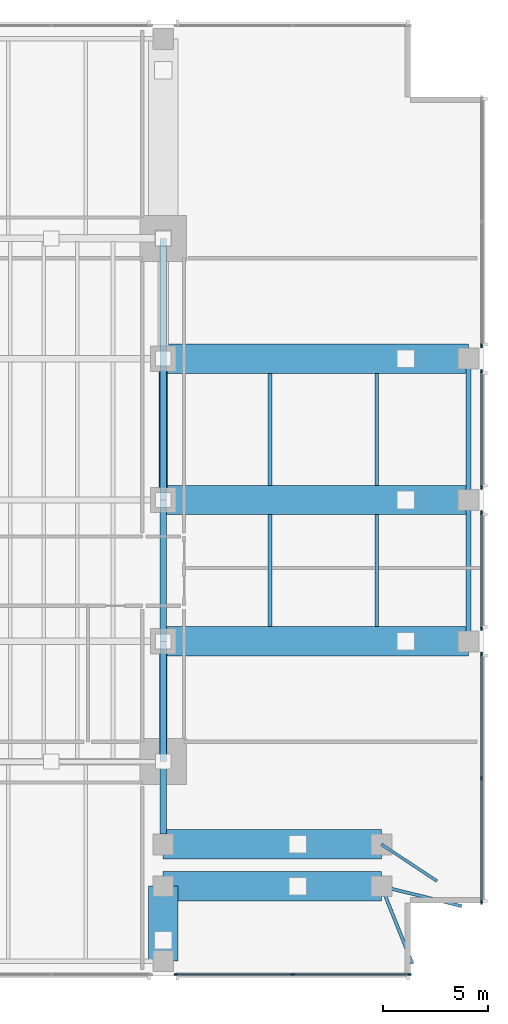
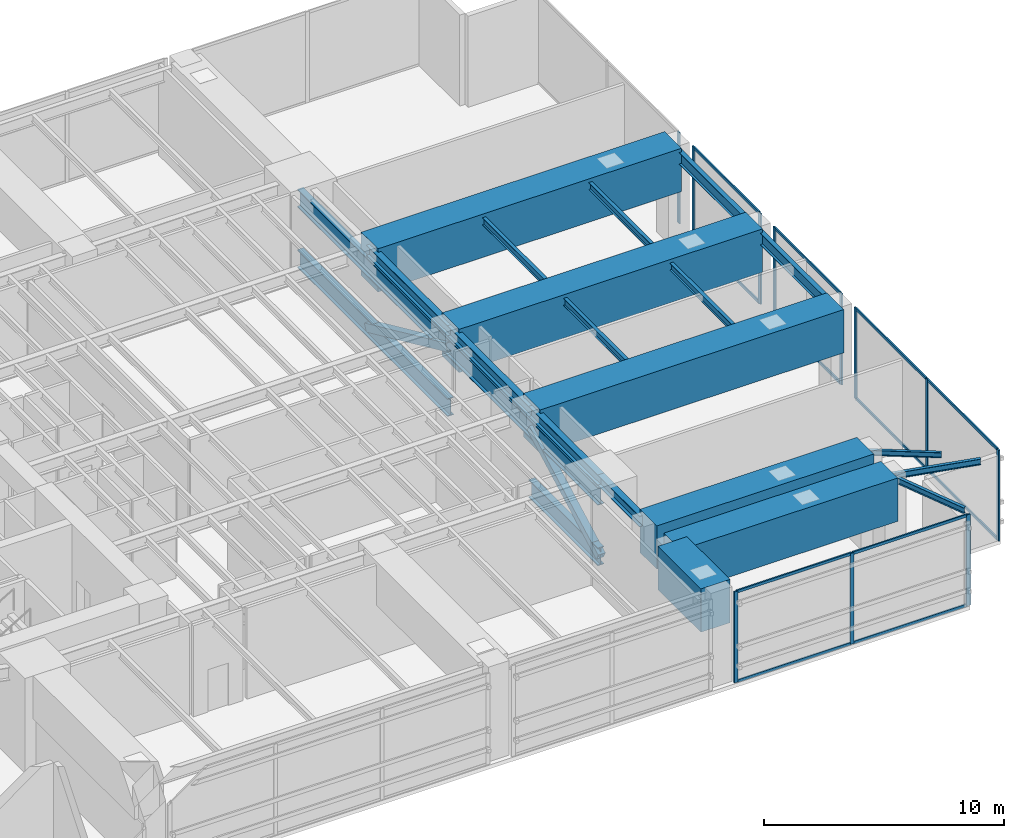
# One storey, part 4 of 14: 28 members, 19 beams, 5 elements without a shape of their own.
"""IFC4 building model written with IfcOpenShell, lengths in metres."""

from ifc_helpers import new_model, si_unit, direction, frame, origin, origin_2d, place, context, subcontext, project, spatial, rectangle, hollow_rectangle, i_section, extrude, material, layer, layer_set, material_profile, profile_set, type_object, element, aggregate, save


model = new_model("IFC4")

# Units and contexts
model_context = context("Model", 3, precision=1e-05, world=origin(), true_north=direction((0.0, 1.0)))
body_context = subcontext(model_context, "Body", "Model", "MODEL_VIEW")
ifc_project = project(units=[si_unit("LENGTHUNIT", "METRE"), si_unit("AREAUNIT", "SQUARE_METRE"), si_unit("VOLUMEUNIT", "CUBIC_METRE"), si_unit("PLANEANGLEUNIT", "RADIAN"), si_unit("MASSUNIT", "GRAM", prefix="KILO")], contexts=[model_context])

# Site, building, storey
site_placement = place(None, origin())
site = spatial("IfcSite", under=ifc_project, at=site_placement, CompositionType="ELEMENT")
building_placement = place(site_placement, origin())
building = spatial("IfcBuilding", under=site, at=building_placement, Name="Kinhvarn Gate Tower", CompositionType="ELEMENT")
storey_placement = place(building_placement, frame((0.0, 0.0, 93.050048828125)))
storey = spatial("IfcBuildingStorey", under=building, at=storey_placement, Name="L24", CompositionType="ELEMENT", Elevation=93.050048828125)

# Beams
ifc_material_1 = material(Name="Concrete C60/75", Category="concrete")
ifc_material_profile_1 = material_profile(ifc_material_1, rectangle(XDim=1.39990234375, YDim=2.199951171875, at=origin_2d()), Name="RC 1400x2200")
ifc_profile_set_1 = profile_set([ifc_material_profile_1], Name="Concrete C60/75")
beam_type_1 = type_object("IfcBeamType", Name="BM-TG-2200", PredefinedType="BEAM", material=ifc_profile_set_1)
for number, where, z_axis, x_axis, name in (
    (1, (38.199951171875, 6.800048828125, 3.699951171875), (1.0, 0.0, 0.0), (0.0, 1.0, 0.0), "Setback Transfer Girder TG-02-L25-CS-SE2"),
    (2, (38.199951171875, 8.800048828125, 3.699951171875), (1.0, 0.0, 0.0), (0.0, 1.0, 0.0), "Setback Transfer Girder TG-02-L25-CS-SE2B"),
):
    element("IfcBeam", number, at=place(storey_placement, frame(where, z_axis=z_axis, x_axis=x_axis)), inside=storey, type_object=beam_type_1, Name=name, PredefinedType="BEAM", context=body_context, shape_type="SweptSolid", body=[
        extrude(rectangle(XDim=1.39990234375, YDim=2.199951171875, at=origin_2d()), origin(), (0.0, 0.0, 1.0), 10.420166015625),
    ])
for number, where, z_axis, x_axis, name in (
    (3, (38.199951171875, 18.5, 3.699951171875), (1.0, 0.0, 0.0), (0.0, 1.0, 0.0), "Setback Transfer Girder TG-02-L25-CE-1"),
    (4, (38.199951171875, 25.25, 3.699951171875), (1.0, 0.0, 0.0), (0.0, 1.0, 0.0), "Setback Transfer Girder TG-02-L25-CE-2"),
    (5, (38.199951171875, 32.0, 3.699951171875), (1.0, 0.0, 0.0), (0.0, 1.0, 0.0), "Setback Transfer Girder TG-02-L25-CE-3"),
):
    element("IfcBeam", number, at=place(storey_placement, frame(where, z_axis=z_axis, x_axis=x_axis)), inside=storey, type_object=beam_type_1, Name=name, PredefinedType="BEAM", context=body_context, shape_type="SweptSolid", body=[
        extrude(rectangle(XDim=1.39990234375, YDim=2.199951171875, at=origin_2d()), origin(), (0.0, 0.0, 1.0), 14.580078125),
    ])
beam_1_placement = place(storey_placement, frame((38.199951171875, 3.219970703125, 3.699951171875), z_axis=(0.0, 1.0, 0.0), x_axis=(-1.0, 0.0, 0.0)))
element("IfcBeam", 6, at=beam_1_placement, inside=storey, type_object=beam_type_1, Name="Setback Transfer Girder TG-02-L25-CS-2", PredefinedType="BEAM", context=body_context, shape_type="SweptSolid", body=[
    extrude(rectangle(XDim=1.39990234375, YDim=2.199951171875, at=origin_2d()), origin(), (0.0, 0.0, 1.0), 3.580078125),
])

# Curtain wall, members
ifc_material_2 = material(Name="Anodised aluminium AW-6063", Category="aluminium")
ifc_layer = layer(ifc_material_2, 0.179931640625)
ifc_layer_set = layer_set([ifc_layer], Name="Anodised aluminium AW-6063")
curtain_wall_type = type_object("IfcCurtainWallType", Name="CW-SYS-2", PredefinedType="NOTDEFINED", material=ifc_layer_set)
curtain_wall_1_placement = place(storey_placement, origin())
curtain_wall_1 = element("IfcCurtainWall", 7, at=curtain_wall_1_placement, inside=storey, type_object=curtain_wall_type, Name="Curtain Wall CW2 (L24)", PredefinedType="NOTDEFINED")
ifc_material_profile_2 = material_profile(ifc_material_2, rectangle(XDim=0.070068359375, YDim=0.179931640625, at=origin_2d()), Name="ALU 70x180")
ifc_profile_set_2 = profile_set([ifc_material_profile_2], Name="Anodised aluminium AW-6063")
member_type_1 = type_object("IfcMemberType", Name="CW-MUL-180", PredefinedType="MULLION", material=ifc_profile_set_2)
member_1_placement = place(storey_placement, frame((38.81494140625, 2.590087890625, 0.0), z_axis=(0.0, 0.0, 1.0), x_axis=(0.0, 1.0, 0.0)))
member_1 = element("IfcMember", 8, at=member_1_placement, type_object=member_type_1, Name="CW2 mullion 1", PredefinedType="MULLION", context=body_context, shape_type="SweptSolid", body=[
    extrude(rectangle(XDim=0.070068359375, YDim=0.179931640625, at=origin_2d()), origin(), (0.0, 0.0, 1.0), 4.619873046875),
])
member_2_placement = place(storey_placement, frame((44.389892578125, 2.590087890625, 0.0), z_axis=(0.0, 0.0, 1.0), x_axis=(0.0, 1.0, 0.0)))
member_2 = element("IfcMember", 9, at=member_2_placement, type_object=member_type_1, Name="CW2 mullion 2", PredefinedType="MULLION", context=body_context, shape_type="SweptSolid", body=[
    extrude(rectangle(XDim=0.070068359375, YDim=0.179931640625, at=origin_2d()), origin(), (0.0, 0.0, 1.0), 4.619873046875),
])
member_3_placement = place(storey_placement, frame((49.965087890625, 2.590087890625, 0.0), z_axis=(0.0, 0.0, 1.0), x_axis=(0.0, 1.0, 0.0)))
member_3 = element("IfcMember", 10, at=member_3_placement, type_object=member_type_1, Name="CW2 mullion 3", PredefinedType="MULLION", context=body_context, shape_type="SweptSolid", body=[
    extrude(rectangle(XDim=0.070068359375, YDim=0.179931640625, at=origin_2d()), origin(), (0.0, 0.0, 1.0), 4.619873046875),
])

curtain_wall_2_placement = place(storey_placement, origin())
curtain_wall_2 = element("IfcCurtainWall", 11, at=curtain_wall_2_placement, inside=storey, type_object=curtain_wall_type, Name="Curtain Wall CW2 (L24)", PredefinedType="NOTDEFINED")
member_4_placement = place(storey_placement, frame((53.409912109375, 6.034912109375, 0.0), z_axis=(0.0, 0.0, 1.0), x_axis=(-1.0, 0.0, 0.0)))
member_4 = element("IfcMember", 12, at=member_4_placement, type_object=member_type_1, Name="CW2 mullion 1", PredefinedType="MULLION", context=body_context, shape_type="SweptSolid", body=[
    extrude(rectangle(XDim=0.070068359375, YDim=0.179931640625, at=origin_2d()), origin(), (0.0, 0.0, 1.0), 4.619873046875),
])
member_5_placement = place(storey_placement, frame((53.409912109375, 11.9599609375, 0.0), z_axis=(0.0, 0.0, 1.0), x_axis=(-1.0, 0.0, 0.0)))
member_5 = element("IfcMember", 13, at=member_5_placement, type_object=member_type_1, Name="CW2 mullion 2", PredefinedType="MULLION", context=body_context, shape_type="SweptSolid", body=[
    extrude(rectangle(XDim=0.070068359375, YDim=0.179931640625, at=origin_2d()), origin(), (0.0, 0.0, 1.0), 4.619873046875),
])
member_6_placement = place(storey_placement, frame((53.409912109375, 17.885009765625, 0.0), z_axis=(0.0, 0.0, 1.0), x_axis=(-1.0, 0.0, 0.0)))
member_6 = element("IfcMember", 14, at=member_6_placement, type_object=member_type_1, Name="CW2 mullion 3", PredefinedType="MULLION", context=body_context, shape_type="SweptSolid", body=[
    extrude(rectangle(XDim=0.070068359375, YDim=0.179931640625, at=origin_2d()), origin(), (0.0, 0.0, 1.0), 4.619873046875),
])

curtain_wall_3_placement = place(storey_placement, origin())
curtain_wall_3 = element("IfcCurtainWall", 15, at=curtain_wall_3_placement, inside=storey, type_object=curtain_wall_type, Name="Curtain Wall CW2 (L24)", PredefinedType="NOTDEFINED")
member_7_placement = place(storey_placement, frame((53.409912109375, 19.114990234375, 0.0), z_axis=(0.0, 0.0, 1.0), x_axis=(-1.0, 0.0, 0.0)))
member_7 = element("IfcMember", 16, at=member_7_placement, type_object=member_type_1, Name="CW2 mullion 1", PredefinedType="MULLION", context=body_context, shape_type="SweptSolid", body=[
    extrude(rectangle(XDim=0.070068359375, YDim=0.179931640625, at=origin_2d()), origin(), (0.0, 0.0, 1.0), 4.619873046875),
])
member_8_placement = place(storey_placement, frame((53.409912109375, 24.635009765625, 0.0), z_axis=(0.0, 0.0, 1.0), x_axis=(-1.0, 0.0, 0.0)))
member_8 = element("IfcMember", 17, at=member_8_placement, type_object=member_type_1, Name="CW2 mullion 2", PredefinedType="MULLION", context=body_context, shape_type="SweptSolid", body=[
    extrude(rectangle(XDim=0.070068359375, YDim=0.179931640625, at=origin_2d()), origin(), (0.0, 0.0, 1.0), 4.619873046875),
])

curtain_wall_4_placement = place(storey_placement, origin())
curtain_wall_4 = element("IfcCurtainWall", 18, at=curtain_wall_4_placement, inside=storey, type_object=curtain_wall_type, Name="Curtain Wall CW2 (L24)", PredefinedType="NOTDEFINED")
member_9_placement = place(storey_placement, frame((53.409912109375, 25.864990234375, 0.0), z_axis=(0.0, 0.0, 1.0), x_axis=(-1.0, 0.0, 0.0)))
member_9 = element("IfcMember", 19, at=member_9_placement, type_object=member_type_1, Name="CW2 mullion 1", PredefinedType="MULLION", context=body_context, shape_type="SweptSolid", body=[
    extrude(rectangle(XDim=0.070068359375, YDim=0.179931640625, at=origin_2d()), origin(), (0.0, 0.0, 1.0), 4.619873046875),
])
member_10_placement = place(storey_placement, frame((53.409912109375, 31.385009765625, 0.0), z_axis=(0.0, 0.0, 1.0), x_axis=(-1.0, 0.0, 0.0)))
member_10 = element("IfcMember", 20, at=member_10_placement, type_object=member_type_1, Name="CW2 mullion 2", PredefinedType="MULLION", context=body_context, shape_type="SweptSolid", body=[
    extrude(rectangle(XDim=0.070068359375, YDim=0.179931640625, at=origin_2d()), origin(), (0.0, 0.0, 1.0), 4.619873046875),
])

# Curtain wall, member
curtain_wall_5_placement = place(storey_placement, origin())
curtain_wall_5 = element("IfcCurtainWall", 21, at=curtain_wall_5_placement, inside=storey, type_object=curtain_wall_type, Name="Curtain Wall CW2 (L24)", PredefinedType="NOTDEFINED")
member_11_placement = place(storey_placement, frame((53.409912109375, 32.614990234375, 0.0), z_axis=(0.0, 0.0, 1.0), x_axis=(-1.0, 0.0, 0.0)))
member_11 = element("IfcMember", 22, at=member_11_placement, type_object=member_type_1, Name="CW2 mullion 1", PredefinedType="MULLION", context=body_context, shape_type="SweptSolid", body=[
    extrude(rectangle(XDim=0.070068359375, YDim=0.179931640625, at=origin_2d()), origin(), (0.0, 0.0, 1.0), 4.619873046875),
])
aggregate(curtain_wall_5, [member_11])

# Member
ifc_material_profile_3 = material_profile(ifc_material_2, rectangle(XDim=0.070068359375, YDim=0.139892578125, at=origin_2d()), Name="ALU 70x140")
ifc_profile_set_3 = profile_set([ifc_material_profile_3], Name="Anodised aluminium AW-6063")
member_type_2 = type_object("IfcMemberType", Name="CW-TRN-140", PredefinedType="USERDEFINED", material=ifc_profile_set_3)
member_12_placement = place(storey_placement, frame((38.85009765625, 2.590087890625, 0.034912109375), z_axis=(1.0, 0.0, 0.0), x_axis=(0.0, 1.0, 0.0)))
member_12 = element("IfcMember", 23, at=member_12_placement, type_object=member_type_2, Name="CW2 transom 1.1", ObjectType="TRANSOM", PredefinedType="USERDEFINED", context=body_context, shape_type="SweptSolid", body=[
    extrude(rectangle(XDim=0.070068359375, YDim=0.139892578125, at=origin_2d()), origin(), (0.0, 0.0, 1.0), 5.5048828125),
])

member_13_placement = place(storey_placement, frame((38.85009765625, 2.590087890625, 4.5849609375), z_axis=(1.0, 0.0, 0.0), x_axis=(0.0, 1.0, 0.0)))
member_13 = element("IfcMember", 24, at=member_13_placement, type_object=member_type_2, Name="CW2 transom 1.2", ObjectType="TRANSOM", PredefinedType="USERDEFINED", context=body_context, shape_type="SweptSolid", body=[
    extrude(rectangle(XDim=0.070068359375, YDim=0.139892578125, at=origin_2d()), origin(), (0.0, 0.0, 1.0), 5.5048828125),
])

member_14_placement = place(storey_placement, frame((44.425048828125, 2.590087890625, 0.034912109375), z_axis=(1.0, 0.0, 0.0), x_axis=(0.0, 1.0, 0.0)))
member_14 = element("IfcMember", 25, at=member_14_placement, type_object=member_type_2, Name="CW2 transom 2.1", ObjectType="TRANSOM", PredefinedType="USERDEFINED", context=body_context, shape_type="SweptSolid", body=[
    extrude(rectangle(XDim=0.070068359375, YDim=0.139892578125, at=origin_2d()), origin(), (0.0, 0.0, 1.0), 5.5048828125),
])

member_15_placement = place(storey_placement, frame((44.425048828125, 2.590087890625, 4.5849609375), z_axis=(1.0, 0.0, 0.0), x_axis=(0.0, 1.0, 0.0)))
member_15 = element("IfcMember", 26, at=member_15_placement, type_object=member_type_2, Name="CW2 transom 2.2", ObjectType="TRANSOM", PredefinedType="USERDEFINED", context=body_context, shape_type="SweptSolid", body=[
    extrude(rectangle(XDim=0.070068359375, YDim=0.139892578125, at=origin_2d()), origin(), (0.0, 0.0, 1.0), 5.5048828125),
])

aggregate(curtain_wall_1, [member_1, member_2, member_3, member_12, member_13, member_14, member_15])

member_16_placement = place(storey_placement, frame((53.409912109375, 6.070068359375, 0.034912109375), z_axis=(0.0, 1.0, 0.0), x_axis=(-1.0, 0.0, 0.0)))
member_16 = element("IfcMember", 27, at=member_16_placement, type_object=member_type_2, Name="CW2 transom 1.1", ObjectType="TRANSOM", PredefinedType="USERDEFINED", context=body_context, shape_type="SweptSolid", body=[
    extrude(rectangle(XDim=0.070068359375, YDim=0.139892578125, at=origin_2d()), origin(), (0.0, 0.0, 1.0), 5.85498046875),
])

member_17_placement = place(storey_placement, frame((53.409912109375, 6.070068359375, 4.5849609375), z_axis=(0.0, 1.0, 0.0), x_axis=(-1.0, 0.0, 0.0)))
member_17 = element("IfcMember", 28, at=member_17_placement, type_object=member_type_2, Name="CW2 transom 1.2", ObjectType="TRANSOM", PredefinedType="USERDEFINED", context=body_context, shape_type="SweptSolid", body=[
    extrude(rectangle(XDim=0.070068359375, YDim=0.139892578125, at=origin_2d()), origin(), (0.0, 0.0, 1.0), 5.85498046875),
])

member_18_placement = place(storey_placement, frame((53.409912109375, 11.9951171875, 0.034912109375), z_axis=(0.0, 1.0, 0.0), x_axis=(-1.0, 0.0, 0.0)))
member_18 = element("IfcMember", 29, at=member_18_placement, type_object=member_type_2, Name="CW2 transom 2.1", ObjectType="TRANSOM", PredefinedType="USERDEFINED", context=body_context, shape_type="SweptSolid", body=[
    extrude(rectangle(XDim=0.070068359375, YDim=0.139892578125, at=origin_2d()), origin(), (0.0, 0.0, 1.0), 5.85498046875),
])

member_19_placement = place(storey_placement, frame((53.409912109375, 11.9951171875, 4.5849609375), z_axis=(0.0, 1.0, 0.0), x_axis=(-1.0, 0.0, 0.0)))
member_19 = element("IfcMember", 30, at=member_19_placement, type_object=member_type_2, Name="CW2 transom 2.2", ObjectType="TRANSOM", PredefinedType="USERDEFINED", context=body_context, shape_type="SweptSolid", body=[
    extrude(rectangle(XDim=0.070068359375, YDim=0.139892578125, at=origin_2d()), origin(), (0.0, 0.0, 1.0), 5.85498046875),
])

aggregate(curtain_wall_2, [member_4, member_5, member_6, member_16, member_17, member_18, member_19])

member_20_placement = place(storey_placement, frame((53.409912109375, 19.14990234375, 0.034912109375), z_axis=(0.0, 1.0, 0.0), x_axis=(-1.0, 0.0, 0.0)))
member_20 = element("IfcMember", 31, at=member_20_placement, type_object=member_type_2, Name="CW2 transom 1.1", ObjectType="TRANSOM", PredefinedType="USERDEFINED", context=body_context, shape_type="SweptSolid", body=[
    extrude(rectangle(XDim=0.070068359375, YDim=0.139892578125, at=origin_2d()), origin(), (0.0, 0.0, 1.0), 5.4501953125),
])

member_21_placement = place(storey_placement, frame((53.409912109375, 19.14990234375, 4.5849609375), z_axis=(0.0, 1.0, 0.0), x_axis=(-1.0, 0.0, 0.0)))
member_21 = element("IfcMember", 32, at=member_21_placement, type_object=member_type_2, Name="CW2 transom 1.2", ObjectType="TRANSOM", PredefinedType="USERDEFINED", context=body_context, shape_type="SweptSolid", body=[
    extrude(rectangle(XDim=0.070068359375, YDim=0.139892578125, at=origin_2d()), origin(), (0.0, 0.0, 1.0), 5.4501953125),
])

aggregate(curtain_wall_3, [member_7, member_8, member_20, member_21])

member_22_placement = place(storey_placement, frame((53.409912109375, 25.89990234375, 0.034912109375), z_axis=(0.0, 1.0, 0.0), x_axis=(-1.0, 0.0, 0.0)))
member_22 = element("IfcMember", 33, at=member_22_placement, type_object=member_type_2, Name="CW2 transom 1.1", ObjectType="TRANSOM", PredefinedType="USERDEFINED", context=body_context, shape_type="SweptSolid", body=[
    extrude(rectangle(XDim=0.070068359375, YDim=0.139892578125, at=origin_2d()), origin(), (0.0, 0.0, 1.0), 5.4501953125),
])

member_23_placement = place(storey_placement, frame((53.409912109375, 25.89990234375, 4.5849609375), z_axis=(0.0, 1.0, 0.0), x_axis=(-1.0, 0.0, 0.0)))
member_23 = element("IfcMember", 34, at=member_23_placement, type_object=member_type_2, Name="CW2 transom 1.2", ObjectType="TRANSOM", PredefinedType="USERDEFINED", context=body_context, shape_type="SweptSolid", body=[
    extrude(rectangle(XDim=0.070068359375, YDim=0.139892578125, at=origin_2d()), origin(), (0.0, 0.0, 1.0), 5.4501953125),
])

aggregate(curtain_wall_4, [member_9, member_10, member_22, member_23])

# Members
ifc_material_3 = material(Name="Steel S355", Category="steel")
ifc_material_profile_4 = material_profile(ifc_material_3, hollow_rectangle(XDim=0.35009765625, YDim=0.35009765625, WallThickness=0.01611328125, at=origin_2d()), Name="SHS 350x350x16")
ifc_profile_set_4 = profile_set([ifc_material_profile_4], Name="Steel S355")
member_type_3 = type_object("IfcMemberType", Name="MBR-SHS350x350x16", PredefinedType="BRACE", material=ifc_profile_set_4)
member_24_placement = place(storey_placement, frame((38.199951171875, 12.75, 0.449951171875), z_axis=(0.0, 0.882136153944, 0.470994486067), x_axis=(-1.0, 0.0, 0.0)))
element("IfcMember", 35, at=member_24_placement, inside=storey, type_object=member_type_3, Name="Belt Truss Spine Diagonal BR-08 (SHS 350x350x16)", PredefinedType="BRACE", context=body_context, shape_type="SweptSolid", body=[
    extrude(hollow_rectangle(XDim=0.35009765625, YDim=0.35009765625, WallThickness=0.01611328125, at=origin_2d()), origin(), (0.0, 0.0, 1.0), 6.518310546875),
])
ifc_material_profile_5 = material_profile(ifc_material_3, hollow_rectangle(XDim=0.39990234375, YDim=0.39990234375, WallThickness=0.02001953125, at=origin_2d()), Name="SHS 400x400x20")
ifc_profile_set_5 = profile_set([ifc_material_profile_5], Name="Steel S355")
member_type_4 = type_object("IfcMemberType", Name="MBR-SHS400x400x20", PredefinedType="BRACE", material=ifc_profile_set_5)
member_25_placement = place(storey_placement, frame((38.199951171875, 25.25, 3.52001953125), z_axis=(0.0, 0.910270613913, -0.414013779295), x_axis=(-1.0, 0.0, 0.0)))
element("IfcMember", 36, at=member_25_placement, inside=storey, type_object=member_type_4, Name="Belt Truss Spine Diagonal BR-09 (SHS 400x400x20)", PredefinedType="BRACE", context=body_context, shape_type="SweptSolid", body=[
    extrude(hollow_rectangle(XDim=0.39990234375, YDim=0.39990234375, WallThickness=0.02001953125, at=origin_2d()), origin(), (0.0, 0.0, 1.0), 7.415283203125),
])

# Beams
ifc_material_profile_6 = material_profile(ifc_material_3, i_section(OverallWidth=0.300048828125, OverallDepth=0.550048828125, WebThickness=0.014892578125, FlangeThickness=0.029052734375, at=origin_2d()), Name="HEB 550")
ifc_profile_set_6 = profile_set([ifc_material_profile_6], Name="Steel S355")
beam_type_2 = type_object("IfcBeamType", Name="STL-HEB550", PredefinedType="BEAM", material=ifc_profile_set_6)
beam_2_placement = place(storey_placement, frame((38.199951171875, 9.284912109375, 4.344970703125), z_axis=(0.0, 1.0, 0.0), x_axis=(-1.0, 0.0, 0.0)))
element("IfcBeam", 37, at=beam_2_placement, inside=storey, type_object=beam_type_2, Name="Floor Beam PG-15 (L24 MCE-S-A2)", PredefinedType="BEAM", context=body_context, shape_type="SweptSolid", body=[
    extrude(i_section(OverallWidth=0.300048828125, OverallDepth=0.550048828125, WebThickness=0.014892578125, FlangeThickness=0.029052734375, at=origin_2d()), origin(), (0.0, 0.0, 1.0), 3.465087890625),
])
beam_3_placement = place(storey_placement, frame((38.199951171875, 12.75, 4.344970703125), z_axis=(0.0, 1.0, 0.0), x_axis=(-1.0, 0.0, 0.0)))
element("IfcBeam", 38, at=beam_3_placement, inside=storey, type_object=beam_type_2, Name="Floor Beam PG-15 (L24 MG-E-12)", PredefinedType="BEAM", context=body_context, shape_type="SweptSolid", body=[
    extrude(i_section(OverallWidth=0.300048828125, OverallDepth=0.550048828125, WebThickness=0.014892578125, FlangeThickness=0.029052734375, at=origin_2d()), origin(), (0.0, 0.0, 1.0), 5.75),
])
for number, where, z_axis, x_axis, name in (
    (39, (38.199951171875, 18.5, 4.344970703125), (0.0, 1.0, 0.0), (-1.0, 0.0, 0.0), "Floor Beam PG-15 (L24 MG-E-18)"),
    (40, (38.199951171875, 25.25, 4.344970703125), (0.0, 1.0, 0.0), (-1.0, 0.0, 0.0), "Floor Beam PG-15 (L24 MG-E-25)"),
):
    element("IfcBeam", number, at=place(storey_placement, frame(where, z_axis=z_axis, x_axis=x_axis)), inside=storey, type_object=beam_type_2, Name=name, PredefinedType="BEAM", context=body_context, shape_type="SweptSolid", body=[
        extrude(i_section(OverallWidth=0.300048828125, OverallDepth=0.550048828125, WebThickness=0.014892578125, FlangeThickness=0.029052734375, at=origin_2d()), origin(), (0.0, 0.0, 1.0), 6.75),
    ])

# Members
ifc_material_profile_7 = material_profile(ifc_material_3, i_section(OverallWidth=0.300048828125, OverallDepth=0.89990234375, WebThickness=0.0185546875, FlangeThickness=0.034912109375, at=origin_2d()), Name="HEB 900")
ifc_profile_set_7 = profile_set([ifc_material_profile_7], Name="Steel S355")
member_type_5 = type_object("IfcMemberType", Name="STL-HEB900", PredefinedType="CHORD", material=ifc_profile_set_7)
member_26_placement = place(storey_placement, frame((38.199951171875, 12.75, 0.449951171875), z_axis=(0.0, 1.0, 0.0), x_axis=(-1.0, 0.0, 0.0)))
element("IfcMember", 41, at=member_26_placement, inside=storey, type_object=member_type_5, Name="Outrigger Belt Chord BC-20 (L24 BLT-EA-BOT)", PredefinedType="CHORD", context=body_context, shape_type="SweptSolid", body=[
    extrude(i_section(OverallWidth=0.300048828125, OverallDepth=0.89990234375, WebThickness=0.0185546875, FlangeThickness=0.034912109375, at=origin_2d()), origin(), (0.0, 0.0, 1.0), 5.75),
])
member_27_placement = place(storey_placement, frame((38.199951171875, 25.25, 0.449951171875), z_axis=(0.0, 1.0, 0.0), x_axis=(-1.0, 0.0, 0.0)))
element("IfcMember", 42, at=member_27_placement, inside=storey, type_object=member_type_5, Name="Outrigger Belt Chord BC-20 (L24 BLT-EB-BOT)", PredefinedType="CHORD", context=body_context, shape_type="SweptSolid", body=[
    extrude(i_section(OverallWidth=0.300048828125, OverallDepth=0.89990234375, WebThickness=0.0185546875, FlangeThickness=0.034912109375, at=origin_2d()), origin(), (0.0, 0.0, 1.0), 12.5),
])
member_28_placement = place(storey_placement, frame((38.199951171875, 12.75, 3.52001953125), z_axis=(0.0, 1.0, 0.0), x_axis=(-1.0, 0.0, 0.0)))
element("IfcMember", 43, at=member_28_placement, inside=storey, type_object=member_type_5, Name="Outrigger Belt Chord BC-20 (L24 BLT-E-TOP)", PredefinedType="CHORD", context=body_context, shape_type="SweptSolid", body=[
    extrude(i_section(OverallWidth=0.300048828125, OverallDepth=0.89990234375, WebThickness=0.0185546875, FlangeThickness=0.034912109375, at=origin_2d()), origin(), (0.0, 0.0, 1.0), 25.0),
])

# Beams
ifc_material_profile_8 = material_profile(ifc_material_3, i_section(OverallWidth=0.135009765625, OverallDepth=0.27001953125, WebThickness=0.006591796875, FlangeThickness=0.01025390625, at=origin_2d()), Name="IPE 270")
ifc_profile_set_8 = profile_set([ifc_material_profile_8], Name="Steel S355")
beam_type_3 = type_object("IfcBeamType", Name="STL-IPE270", PredefinedType="JOIST", material=ifc_profile_set_8)
beam_4_placement = place(storey_placement, frame((48.6201171875, 8.800048828125, 4.48486328125), z_axis=(0.834455271211, -0.5510756757, 0.0), x_axis=(0.5510756757, 0.834455271211, 0.0)))
element("IfcBeam", 44, at=beam_4_placement, inside=storey, type_object=beam_type_3, Name="Floor Joist SB-01 (L24 BAL-B3-L25)", PredefinedType="JOIST", context=body_context, shape_type="SweptSolid", body=[
    extrude(i_section(OverallWidth=0.135009765625, OverallDepth=0.27001953125, WebThickness=0.006591796875, FlangeThickness=0.01025390625, at=origin_2d()), origin(), (0.0, 0.0, 1.0), 3.175537109375),
])
ifc_material_profile_9 = material_profile(ifc_material_3, i_section(OverallWidth=0.14990234375, OverallDepth=0.300048828125, WebThickness=0.007080078125, FlangeThickness=0.0107421875, at=origin_2d()), Name="IPE 300")
ifc_profile_set_9 = profile_set([ifc_material_profile_9], Name="Steel S355")
beam_type_4 = type_object("IfcBeamType", Name="STL-IPE300", PredefinedType="JOIST", material=ifc_profile_set_9)
beam_5_placement = place(storey_placement, frame((48.6201171875, 6.800048828125, 4.469970703125), z_axis=(0.97058851083, -0.240744558911, 0.0), x_axis=(0.240744558911, 0.97058851083, 0.0)))
element("IfcBeam", 45, at=beam_5_placement, inside=storey, type_object=beam_type_4, Name="Floor Joist SB-02 (L24 BAL-B1-L25)", PredefinedType="JOIST", context=body_context, shape_type="SweptSolid", body=[
    extrude(i_section(OverallWidth=0.14990234375, OverallDepth=0.300048828125, WebThickness=0.007080078125, FlangeThickness=0.0107421875, at=origin_2d()), origin(), (0.0, 0.0, 1.0), 3.94580078125),
])
beam_6_placement = place(storey_placement, frame((48.6201171875, 6.800048828125, 4.469970703125), z_axis=(0.371390676354, -0.928476690885, 0.0), x_axis=(0.928476690885, 0.371390676354, 0.0)))
element("IfcBeam", 46, at=beam_6_placement, inside=storey, type_object=beam_type_4, Name="Floor Joist SB-02 (L24 BAL-B2-L25)", PredefinedType="JOIST", context=body_context, shape_type="SweptSolid", body=[
    extrude(i_section(OverallWidth=0.14990234375, OverallDepth=0.300048828125, WebThickness=0.007080078125, FlangeThickness=0.0107421875, at=origin_2d()), origin(), (0.0, 0.0, 1.0), 3.98486328125),
])
ifc_material_profile_10 = material_profile(ifc_material_3, i_section(OverallWidth=0.169921875, OverallDepth=0.360107421875, WebThickness=0.008056640625, FlangeThickness=0.0126953125, at=origin_2d()), Name="IPE 360")
ifc_profile_set_10 = profile_set([ifc_material_profile_10], Name="Steel S355")
beam_type_5 = type_object("IfcBeamType", Name="STL-IPE360", PredefinedType="JOIST", material=ifc_profile_set_10)
for number, where, z_axis, x_axis, name in (
    (47, (43.300048828125, 19.199951171875, 4.43994140625), (0.0, 1.0, 0.0), (-1.0, 0.0, 0.0), "Floor Joist SB-04 (L24 JC-X433-1)"),
    (48, (43.300048828125, 25.949951171875, 4.43994140625), (0.0, 1.0, 0.0), (-1.0, 0.0, 0.0), "Floor Joist SB-04 (L24 JC-X433-2)"),
    (49, (48.409912109375, 19.199951171875, 4.43994140625), (0.0, 1.0, 0.0), (-1.0, 0.0, 0.0), "Floor Joist SB-04 (L24 JC-X484-1)"),
    (50, (48.409912109375, 25.949951171875, 4.43994140625), (0.0, 1.0, 0.0), (-1.0, 0.0, 0.0), "Floor Joist SB-04 (L24 JC-X484-2)"),
):
    element("IfcBeam", number, at=place(storey_placement, frame(where, z_axis=z_axis, x_axis=x_axis)), inside=storey, type_object=beam_type_5, Name=name, PredefinedType="JOIST", context=body_context, shape_type="SweptSolid", body=[
        extrude(i_section(OverallWidth=0.169921875, OverallDepth=0.360107421875, WebThickness=0.008056640625, FlangeThickness=0.0126953125, at=origin_2d()), origin(), (0.0, 0.0, 1.0), 5.35009765625),
    ])
ifc_material_profile_11 = material_profile(ifc_material_3, i_section(OverallWidth=0.219970703125, OverallDepth=0.60009765625, WebThickness=0.011962890625, FlangeThickness=0.01904296875, at=origin_2d()), Name="IPE 600")
ifc_profile_set_11 = profile_set([ifc_material_profile_11], Name="Steel S355")
beam_type_6 = type_object("IfcBeamType", Name="STL-IPE600", PredefinedType="SPANDREL", material=ifc_profile_set_11)
for number, where, z_axis, x_axis, name in (
    (51, (52.780029296875, 18.5, 4.320068359375), (0.0, 1.0, 0.0), (-1.0, 0.0, 0.0), "Floor Spandrel SB-09 (L24 SP-E2)"),
    (52, (52.780029296875, 25.25, 4.320068359375), (0.0, 1.0, 0.0), (-1.0, 0.0, 0.0), "Floor Spandrel SB-09 (L24 SP-E3)"),
):
    element("IfcBeam", number, at=place(storey_placement, frame(where, z_axis=z_axis, x_axis=x_axis)), inside=storey, type_object=beam_type_6, Name=name, PredefinedType="SPANDREL", context=body_context, shape_type="SweptSolid", body=[
        extrude(i_section(OverallWidth=0.219970703125, OverallDepth=0.60009765625, WebThickness=0.011962890625, FlangeThickness=0.01904296875, at=origin_2d()), origin(), (0.0, 0.0, 1.0), 6.75),
    ])

save(model, "model.ifc")
